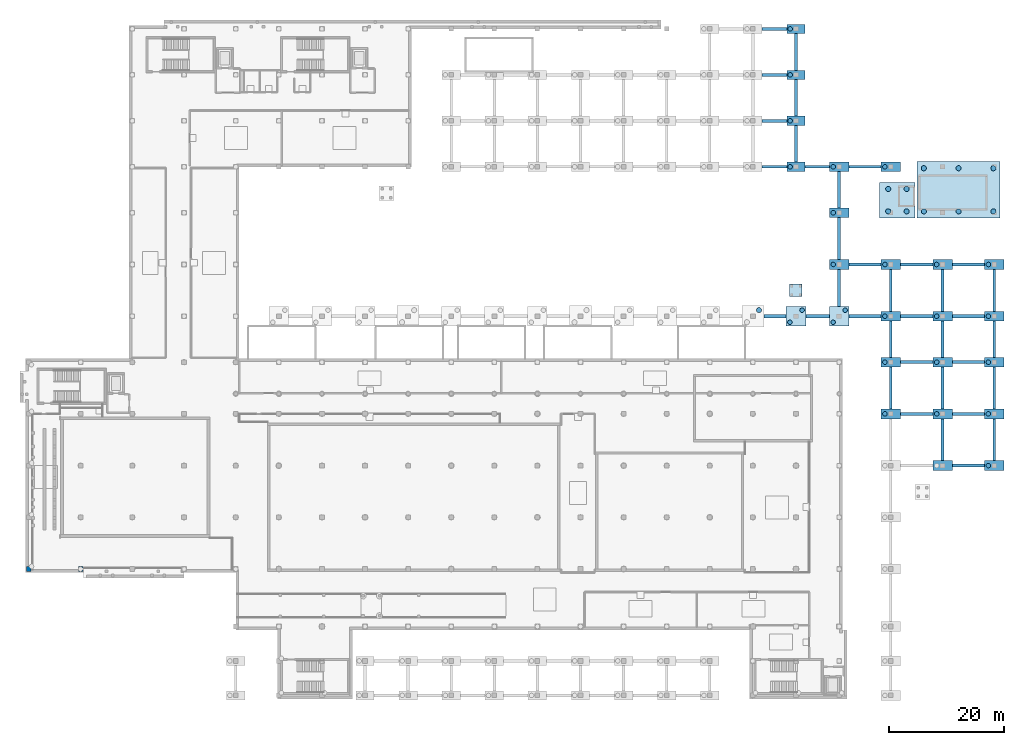
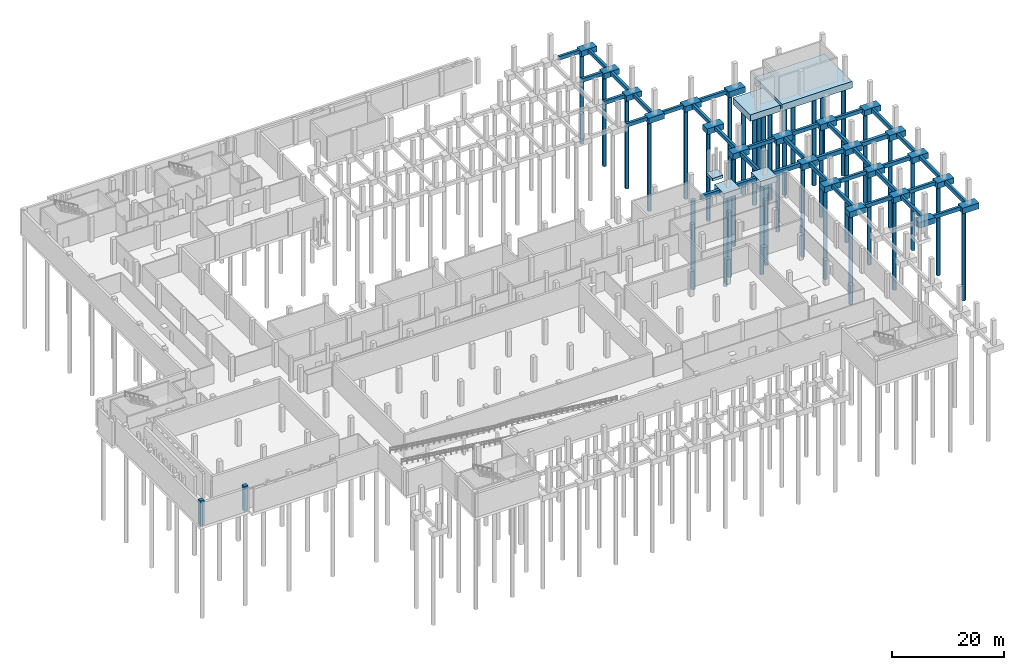
# One storey, part 3 of 19: 63 footings, 36 piles, 2 columns.
"""IFC4 building model written with IfcOpenShell, lengths in metres."""

from ifc_helpers import new_model, si_unit, direction, frame, origin, origin_2d, place, context, subcontext, project, spatial, rectangle, circle, extrude, material, material_profile, profile_set, type_object, element, save


model = new_model("IFC4")

# Units and contexts
model_context = context("Model", 3, precision=1e-05, world=origin(), true_north=direction((0.0, 1.0)))
body_context = subcontext(model_context, "Body", "Model", "MODEL_VIEW")
ifc_project = project(units=[si_unit("LENGTHUNIT", "METRE"), si_unit("AREAUNIT", "SQUARE_METRE"), si_unit("VOLUMEUNIT", "CUBIC_METRE"), si_unit("PLANEANGLEUNIT", "RADIAN"), si_unit("MASSUNIT", "GRAM", prefix="KILO")], contexts=[model_context])

# Site, building, storey
site_placement = place(None, origin())
site = spatial("IfcSite", under=ifc_project, at=site_placement, CompositionType="ELEMENT")
building_placement = place(site_placement, origin())
building = spatial("IfcBuilding", under=site, at=building_placement, Name="Vourika Railside Aquatics Centre", CompositionType="ELEMENT")
storey_placement = place(building_placement, frame((0.0, 0.0, -5.39990234375)))
storey = spatial("IfcBuildingStorey", under=building, at=storey_placement, Name="B1", CompositionType="ELEMENT", Elevation=-5.39990234375)

# Footings
ifc_material = material(Name="Concrete C40/50", Category="concrete")
footing_type_1 = type_object("IfcFootingType", Name="FTG-GB-500x800", PredefinedType="FOOTING_BEAM", material=ifc_material)
for number, where, z_axis, x_axis, name in (
    (1, (163.5, 40.0, -0.80029296875), (0.0, 0.0, 1.0), (1.0, 0.0, 0.0), "Ground Tie Beam GBX-018"),
    (2, (154.5, 49.0, -0.80029296875), (0.0, 0.0, 1.0), (1.0, 0.0, 0.0), "Ground Tie Beam GBX-019"),
    (3, (163.5, 49.0, -0.80029296875), (0.0, 0.0, 1.0), (1.0, 0.0, 0.0), "Ground Tie Beam GBX-020"),
    (4, (154.5, 58.0, -0.80029296875), (0.0, 0.0, 1.0), (1.0, 0.0, 0.0), "Ground Tie Beam GBX-021"),
    (5, (163.5, 58.0, -0.80029296875), (0.0, 0.0, 1.0), (1.0, 0.0, 0.0), "Ground Tie Beam GBX-022"),
    (6, (145.5, 75.0, -0.80029296875), (0.0, 0.0, 1.0), (1.0, 0.0, 0.0), "Ground Tie Beam GBX-039"),
    (7, (154.5, 75.0, -0.80029296875), (0.0, 0.0, 1.0), (1.0, 0.0, 0.0), "Ground Tie Beam GBX-040"),
    (8, (163.5, 75.0, -0.80029296875), (0.0, 0.0, 1.0), (1.0, 0.0, 0.0), "Ground Tie Beam GBX-041"),
):
    element("IfcFooting", number, at=place(storey_placement, frame(where, z_axis=z_axis, x_axis=x_axis)), inside=storey, type_object=footing_type_1, Name=name, PredefinedType="FOOTING_BEAM", context=body_context, shape_type="SweptSolid", body=[
        extrude(rectangle(XDim=5.60009765625, YDim=0.5, at=origin_2d()), origin(), (0.0, 0.0, 1.0), 0.800048828125),
    ])
footing_1_placement = place(storey_placement, frame((129.75, 92.0, -0.80029296875), z_axis=(0.0, 0.0, 1.0), x_axis=(1.0, 0.0, 0.0)))
element("IfcFooting", 9, at=footing_1_placement, inside=storey, type_object=footing_type_1, Name="Ground Tie Beam GBX-049", PredefinedType="FOOTING_BEAM", context=body_context, shape_type="SweptSolid", body=[
    extrude(rectangle(XDim=4.300048828125, YDim=0.5, at=origin_2d()), origin(), (0.0, 0.0, 1.0), 0.800048828125),
])
footing_2_placement = place(storey_placement, frame((137.199951171875, 92.0, -0.80029296875), z_axis=(0.0, 0.0, 1.0), x_axis=(1.0, 0.0, 0.0)))
element("IfcFooting", 10, at=footing_2_placement, inside=storey, type_object=footing_type_1, Name="Ground Tie Beam GBX-050", PredefinedType="FOOTING_BEAM", context=body_context, shape_type="SweptSolid", body=[
    extrude(rectangle(XDim=4.199951171875, YDim=0.5, at=origin_2d()), origin(), (0.0, 0.0, 1.0), 0.800048828125),
])
footing_3_placement = place(storey_placement, frame((145.5, 92.0, -0.80029296875), z_axis=(0.0, 0.0, 1.0), x_axis=(1.0, 0.0, 0.0)))
element("IfcFooting", 11, at=footing_3_placement, inside=storey, type_object=footing_type_1, Name="Ground Tie Beam GBX-051", PredefinedType="FOOTING_BEAM", context=body_context, shape_type="SweptSolid", body=[
    extrude(rectangle(XDim=5.60009765625, YDim=0.5, at=origin_2d()), origin(), (0.0, 0.0, 1.0), 0.800048828125),
])
for number, where, z_axis, x_axis, name in (
    (12, (129.75, 100.0, -0.80029296875), (0.0, 0.0, 1.0), (1.0, 0.0, 0.0), "Ground Tie Beam GBX-059"),
    (13, (129.75, 108.0, -0.80029296875), (0.0, 0.0, 1.0), (1.0, 0.0, 0.0), "Ground Tie Beam GBX-067"),
    (14, (129.75, 116.0, -0.80029296875), (0.0, 0.0, 1.0), (1.0, 0.0, 0.0), "Ground Tie Beam GBX-069"),
):
    element("IfcFooting", number, at=place(storey_placement, frame(where, z_axis=z_axis, x_axis=x_axis)), inside=storey, type_object=footing_type_1, Name=name, PredefinedType="FOOTING_BEAM", context=body_context, shape_type="SweptSolid", body=[
        extrude(rectangle(XDim=4.300048828125, YDim=0.5, at=origin_2d()), origin(), (0.0, 0.0, 1.0), 0.800048828125),
    ])
for number, where, z_axis, x_axis, name in (
    (15, (133.5, 96.0, -0.80029296875), (0.0, 0.0, 1.0), (0.0, 1.0, 0.0), "Ground Tie Beam GBY-098"),
    (16, (133.5, 104.0, -0.80029296875), (0.0, 0.0, 1.0), (0.0, 1.0, 0.0), "Ground Tie Beam GBY-099"),
    (17, (133.5, 112.0, -0.80029296875), (0.0, 0.0, 1.0), (0.0, 1.0, 0.0), "Ground Tie Beam GBY-100"),
):
    element("IfcFooting", number, at=place(storey_placement, frame(where, z_axis=z_axis, x_axis=x_axis)), inside=storey, type_object=footing_type_1, Name=name, PredefinedType="FOOTING_BEAM", context=body_context, shape_type="SweptSolid", body=[
        extrude(rectangle(XDim=6.39990234375, YDim=0.5, at=origin_2d()), origin(), (0.0, 0.0, 1.0), 0.800048828125),
    ])
footing_4_placement = place(storey_placement, frame((141.0, 70.925048828125, -0.80029296875), z_axis=(0.0, 0.0, 1.0), x_axis=(0.0, 1.0, 0.0)))
element("IfcFooting", 18, at=footing_4_placement, inside=storey, type_object=footing_type_1, Name="Ground Tie Beam GBY-101", PredefinedType="FOOTING_BEAM", context=body_context, shape_type="SweptSolid", body=[
    extrude(rectangle(XDim=6.449951171875, YDim=0.5, at=origin_2d()), origin(), (0.0, 0.0, 1.0), 0.800048828125),
])
footing_5_placement = place(storey_placement, frame((141.0, 79.5, -0.80029296875), z_axis=(0.0, 0.0, 1.0), x_axis=(0.0, 1.0, 0.0)))
element("IfcFooting", 19, at=footing_5_placement, inside=storey, type_object=footing_type_1, Name="Ground Tie Beam GBY-102", PredefinedType="FOOTING_BEAM", context=body_context, shape_type="SweptSolid", body=[
    extrude(rectangle(XDim=7.300048828125, YDim=0.5, at=origin_2d()), origin(), (0.0, 0.0, 1.0), 0.800048828125),
])
footing_6_placement = place(storey_placement, frame((141.0, 88.0, -0.80029296875), z_axis=(0.0, 0.0, 1.0), x_axis=(0.0, 1.0, 0.0)))
element("IfcFooting", 20, at=footing_6_placement, inside=storey, type_object=footing_type_1, Name="Ground Tie Beam GBY-103", PredefinedType="FOOTING_BEAM", context=body_context, shape_type="SweptSolid", body=[
    extrude(rectangle(XDim=6.300048828125, YDim=0.5, at=origin_2d()), origin(), (0.0, 0.0, 1.0), 0.800048828125),
])
footing_7_placement = place(storey_placement, frame((150.0, 53.5, -0.80029296875), z_axis=(0.0, 0.0, 1.0), x_axis=(0.0, 1.0, 0.0)))
element("IfcFooting", 21, at=footing_7_placement, inside=storey, type_object=footing_type_1, Name="Ground Tie Beam GBY-110", PredefinedType="FOOTING_BEAM", context=body_context, shape_type="SweptSolid", body=[
    extrude(rectangle(XDim=7.300048828125, YDim=0.5, at=origin_2d()), origin(), (0.0, 0.0, 1.0), 0.800048828125),
])
footing_8_placement = place(storey_placement, frame((150.0, 62.0, -0.80029296875), z_axis=(0.0, 0.0, 1.0), x_axis=(0.0, 1.0, 0.0)))
element("IfcFooting", 22, at=footing_8_placement, inside=storey, type_object=footing_type_1, Name="Ground Tie Beam GBY-111", PredefinedType="FOOTING_BEAM", context=body_context, shape_type="SweptSolid", body=[
    extrude(rectangle(XDim=6.300048828125, YDim=0.5, at=origin_2d()), origin(), (0.0, 0.0, 1.0), 0.800048828125),
])
for number, where, z_axis, x_axis, name in (
    (23, (150.0, 70.5, -0.80029296875), (0.0, 0.0, 1.0), (0.0, 1.0, 0.0), "Ground Tie Beam GBY-112"),
    (24, (159.0, 44.5, -0.80029296875), (0.0, 0.0, 1.0), (0.0, 1.0, 0.0), "Ground Tie Beam GBY-113"),
    (25, (159.0, 53.5, -0.80029296875), (0.0, 0.0, 1.0), (0.0, 1.0, 0.0), "Ground Tie Beam GBY-114"),
):
    element("IfcFooting", number, at=place(storey_placement, frame(where, z_axis=z_axis, x_axis=x_axis)), inside=storey, type_object=footing_type_1, Name=name, PredefinedType="FOOTING_BEAM", context=body_context, shape_type="SweptSolid", body=[
        extrude(rectangle(XDim=7.300048828125, YDim=0.5, at=origin_2d()), origin(), (0.0, 0.0, 1.0), 0.800048828125),
    ])
footing_9_placement = place(storey_placement, frame((159.0, 62.0, -0.80029296875), z_axis=(0.0, 0.0, 1.0), x_axis=(0.0, 1.0, 0.0)))
element("IfcFooting", 26, at=footing_9_placement, inside=storey, type_object=footing_type_1, Name="Ground Tie Beam GBY-115", PredefinedType="FOOTING_BEAM", context=body_context, shape_type="SweptSolid", body=[
    extrude(rectangle(XDim=6.300048828125, YDim=0.5, at=origin_2d()), origin(), (0.0, 0.0, 1.0), 0.800048828125),
])
for number, where, z_axis, x_axis, name in (
    (27, (159.0, 70.5, -0.80029296875), (0.0, 0.0, 1.0), (0.0, 1.0, 0.0), "Ground Tie Beam GBY-116"),
    (28, (168.0, 44.5, -0.80029296875), (0.0, 0.0, 1.0), (0.0, 1.0, 0.0), "Ground Tie Beam GBY-117"),
    (29, (168.0, 53.5, -0.80029296875), (0.0, 0.0, 1.0), (0.0, 1.0, 0.0), "Ground Tie Beam GBY-118"),
):
    element("IfcFooting", number, at=place(storey_placement, frame(where, z_axis=z_axis, x_axis=x_axis)), inside=storey, type_object=footing_type_1, Name=name, PredefinedType="FOOTING_BEAM", context=body_context, shape_type="SweptSolid", body=[
        extrude(rectangle(XDim=7.300048828125, YDim=0.5, at=origin_2d()), origin(), (0.0, 0.0, 1.0), 0.800048828125),
    ])
footing_10_placement = place(storey_placement, frame((168.0, 62.0, -0.80029296875), z_axis=(0.0, 0.0, 1.0), x_axis=(0.0, 1.0, 0.0)))
element("IfcFooting", 30, at=footing_10_placement, inside=storey, type_object=footing_type_1, Name="Ground Tie Beam GBY-119", PredefinedType="FOOTING_BEAM", context=body_context, shape_type="SweptSolid", body=[
    extrude(rectangle(XDim=6.300048828125, YDim=0.5, at=origin_2d()), origin(), (0.0, 0.0, 1.0), 0.800048828125),
])
footing_11_placement = place(storey_placement, frame((168.0, 70.5, -0.80029296875), z_axis=(0.0, 0.0, 1.0), x_axis=(0.0, 1.0, 0.0)))
element("IfcFooting", 31, at=footing_11_placement, inside=storey, type_object=footing_type_1, Name="Ground Tie Beam GBY-120", PredefinedType="FOOTING_BEAM", context=body_context, shape_type="SweptSolid", body=[
    extrude(rectangle(XDim=7.300048828125, YDim=0.5, at=origin_2d()), origin(), (0.0, 0.0, 1.0), 0.800048828125),
])
footing_type_2 = type_object("IfcFootingType", Name="FTG-GB-600x900", PredefinedType="FOOTING_BEAM", material=ifc_material)
footing_12_placement = place(storey_placement, frame((129.85009765625, 66.0, -0.900146484375), z_axis=(0.0, 0.0, 1.0), x_axis=(1.0, 0.0, 0.0)))
element("IfcFooting", 32, at=footing_12_placement, inside=storey, type_object=footing_type_2, Name="Ground Tie Beam GBX-034", PredefinedType="FOOTING_BEAM", context=body_context, shape_type="SweptSolid", body=[
    extrude(rectangle(XDim=3.89990234375, YDim=0.60009765625, at=origin_2d()), origin(), (0.0, 0.0, 1.0), 0.89990234375),
])
footing_13_placement = place(storey_placement, frame((137.25, 66.0, -0.900146484375), z_axis=(0.0, 0.0, 1.0), x_axis=(1.0, 0.0, 0.0)))
element("IfcFooting", 33, at=footing_13_placement, inside=storey, type_object=footing_type_2, Name="Ground Tie Beam GBX-035", PredefinedType="FOOTING_BEAM", context=body_context, shape_type="SweptSolid", body=[
    extrude(rectangle(XDim=4.10009765625, YDim=0.60009765625, at=origin_2d()), origin(), (0.0, 0.0, 1.0), 0.89990234375),
])
for number, where, z_axis, x_axis, name in (
    (34, (145.5, 66.0, -0.900146484375), (0.0, 0.0, 1.0), (1.0, 0.0, 0.0), "Ground Tie Beam GBX-036"),
    (35, (154.5, 66.0, -0.900146484375), (0.0, 0.0, 1.0), (1.0, 0.0, 0.0), "Ground Tie Beam GBX-037"),
    (36, (163.5, 66.0, -0.900146484375), (0.0, 0.0, 1.0), (1.0, 0.0, 0.0), "Ground Tie Beam GBX-038"),
):
    element("IfcFooting", number, at=place(storey_placement, frame(where, z_axis=z_axis, x_axis=x_axis)), inside=storey, type_object=footing_type_2, Name=name, PredefinedType="FOOTING_BEAM", context=body_context, shape_type="SweptSolid", body=[
        extrude(rectangle(XDim=5.60009765625, YDim=0.60009765625, at=origin_2d()), origin(), (0.0, 0.0, 1.0), 0.89990234375),
    ])
footing_type_3 = type_object("IfcFootingType", Name="FTG-PAD-220x220", PredefinedType="PAD_FOOTING", material=ifc_material)
footing_14_placement = place(storey_placement, frame((133.47998046875, 70.5, -0.60009765625), z_axis=(0.0, 0.0, 1.0), x_axis=(1.0, 0.0, 0.0)))
element("IfcFooting", 37, at=footing_14_placement, inside=storey, type_object=footing_type_3, Name="Accessible Ramp Foundation Pad PF-03", PredefinedType="PAD_FOOTING", context=body_context, shape_type="SweptSolid", body=[
    extrude(rectangle(XDim=2.199951171875, YDim=2.199951171875, at=origin_2d()), origin(), (0.0, 0.0, 1.0), 0.60009765625),
])
footing_type_4 = type_object("IfcFootingType", Name="FTG-PC10-1440x980", PredefinedType="PILE_CAP", material=ifc_material)
footing_15_placement = place(storey_placement, frame((161.800048828125, 88.0, -1.4501953125), z_axis=(0.0, 0.0, 1.0), x_axis=(1.0, 0.0, 0.0)))
element("IfcFooting", 38, at=footing_15_placement, inside=storey, type_object=footing_type_4, Name="Core Substructure Pile Cap ST05", PredefinedType="PILE_CAP", context=body_context, shape_type="SweptSolid", body=[
    extrude(rectangle(XDim=14.39990234375, YDim=9.800048828125, at=origin_2d()), origin(), (0.0, 0.0, 1.0), 1.449951171875),
])
footing_type_5 = type_object("IfcFootingType", Name="FTG-PC2-320x160", PredefinedType="PILE_CAP", material=ifc_material)
for number, where, z_axis, x_axis, name in (
    (39, (133.5, 92.0, -1.2001953125), (0.0, 0.0, 1.0), (1.0, 0.0, 0.0), "Pile Cap ftg:B1:cap_1335_920"),
    (40, (133.5, 100.0, -1.2001953125), (0.0, 0.0, 1.0), (1.0, 0.0, 0.0), "Pile Cap ftg:B1:cap_1335_1000"),
    (41, (133.5, 108.0, -1.2001953125), (0.0, 0.0, 1.0), (1.0, 0.0, 0.0), "Pile Cap ftg:B1:cap_1335_1080"),
    (42, (133.5, 116.0, -1.2001953125), (0.0, 0.0, 1.0), (1.0, 0.0, 0.0), "Pile Cap ftg:B1:cap_1335_1160"),
):
    element("IfcFooting", number, at=place(storey_placement, frame(where, z_axis=z_axis, x_axis=x_axis)), inside=storey, type_object=footing_type_5, Name=name, PredefinedType="PILE_CAP", context=body_context, shape_type="SweptSolid", body=[
        extrude(rectangle(XDim=3.199951171875, YDim=1.60009765625, at=origin_2d()), origin(), (0.0, 0.0, 1.0), 1.199951171875),
    ])
footing_type_6 = type_object("IfcFootingType", Name="FTG-PC2-340x170", PredefinedType="PILE_CAP", material=ifc_material)
for number, where, z_axis, x_axis, name in (
    (43, (141.0, 75.0, -1.25), (0.0, 0.0, 1.0), (1.0, 0.0, 0.0), "Pile Cap ftg:B1:cap_1410_750"),
    (44, (141.0, 84.0, -1.25), (0.0, 0.0, 1.0), (1.0, 0.0, 0.0), "Pile Cap ftg:B1:cap_1410_840"),
    (45, (141.0, 92.0, -1.25), (0.0, 0.0, 1.0), (1.0, 0.0, 0.0), "Pile Cap ftg:B1:cap_1410_920"),
    (46, (150.0, 49.0, -1.25), (0.0, 0.0, 1.0), (1.0, 0.0, 0.0), "Pile Cap ftg:B1:cap_1500_490"),
    (47, (150.0, 58.0, -1.25), (0.0, 0.0, 1.0), (1.0, 0.0, 0.0), "Pile Cap ftg:B1:cap_1500_580"),
    (48, (150.0, 66.0, -1.25), (0.0, 0.0, 1.0), (1.0, 0.0, 0.0), "Pile Cap ftg:B1:cap_1500_660"),
    (49, (150.0, 75.0, -1.25), (0.0, 0.0, 1.0), (1.0, 0.0, 0.0), "Pile Cap ftg:B1:cap_1500_750"),
    (50, (150.0, 92.0, -1.25), (0.0, 0.0, 1.0), (1.0, 0.0, 0.0), "Pile Cap ftg:B1:cap_1500_920"),
    (51, (159.0, 40.0, -1.25), (0.0, 0.0, 1.0), (1.0, 0.0, 0.0), "Pile Cap ftg:B1:cap_1590_400"),
    (52, (159.0, 49.0, -1.25), (0.0, 0.0, 1.0), (1.0, 0.0, 0.0), "Pile Cap ftg:B1:cap_1590_490"),
    (53, (159.0, 58.0, -1.25), (0.0, 0.0, 1.0), (1.0, 0.0, 0.0), "Pile Cap ftg:B1:cap_1590_580"),
    (54, (159.0, 66.0, -1.25), (0.0, 0.0, 1.0), (1.0, 0.0, 0.0), "Pile Cap ftg:B1:cap_1590_660"),
    (55, (159.0, 75.0, -1.25), (0.0, 0.0, 1.0), (1.0, 0.0, 0.0), "Pile Cap ftg:B1:cap_1590_750"),
    (56, (168.0, 40.0, -1.25), (0.0, 0.0, 1.0), (1.0, 0.0, 0.0), "Pile Cap ftg:B1:cap_1680_400"),
    (57, (168.0, 49.0, -1.25), (0.0, 0.0, 1.0), (1.0, 0.0, 0.0), "Pile Cap ftg:B1:cap_1680_490"),
    (58, (168.0, 58.0, -1.25), (0.0, 0.0, 1.0), (1.0, 0.0, 0.0), "Pile Cap ftg:B1:cap_1680_580"),
    (59, (168.0, 66.0, -1.25), (0.0, 0.0, 1.0), (1.0, 0.0, 0.0), "Pile Cap ftg:B1:cap_1680_660"),
    (60, (168.0, 75.0, -1.25), (0.0, 0.0, 1.0), (1.0, 0.0, 0.0), "Pile Cap ftg:B1:cap_1680_750"),
):
    element("IfcFooting", number, at=place(storey_placement, frame(where, z_axis=z_axis, x_axis=x_axis)), inside=storey, type_object=footing_type_6, Name=name, PredefinedType="PILE_CAP", context=body_context, shape_type="SweptSolid", body=[
        extrude(rectangle(XDim=3.39990234375, YDim=1.699951171875, at=origin_2d()), origin(), (0.0, 0.0, 1.0), 1.25),
    ])
footing_type_7 = type_object("IfcFootingType", Name="FTG-PC4-340x340", PredefinedType="PILE_CAP", material=ifc_material)
for number, where, z_axis, x_axis, name in (
    (61, (133.5, 66.0, -1.2001953125), (0.0, 0.0, 1.0), (1.0, 0.0, 0.0), "Pile Cap ftg:B1:cap_1335_660"),
    (62, (141.0, 66.0, -1.2001953125), (0.0, 0.0, 1.0), (1.0, 0.0, 0.0), "Pile Cap ftg:B1:cap_1410_660"),
):
    element("IfcFooting", number, at=place(storey_placement, frame(where, z_axis=z_axis, x_axis=x_axis)), inside=storey, type_object=footing_type_7, Name=name, PredefinedType="PILE_CAP", context=body_context, shape_type="SweptSolid", body=[
        extrude(rectangle(XDim=3.39990234375, YDim=3.39990234375, at=origin_2d()), origin(), (0.0, 0.0, 1.0), 1.199951171875),
    ])
footing_type_8 = type_object("IfcFootingType", Name="FTG-PC6-620x420", PredefinedType="PILE_CAP", material=ifc_material)
footing_16_placement = place(storey_placement, frame((151.14990234375, 86.199951171875, -1.400146484375), z_axis=(0.0, 0.0, 1.0), x_axis=(1.0, 0.0, 0.0)))
element("IfcFooting", 63, at=footing_16_placement, inside=storey, type_object=footing_type_8, Name="Core Substructure Pile Cap LP01", PredefinedType="PILE_CAP", context=body_context, shape_type="SweptSolid", body=[
    extrude(rectangle(XDim=6.199951171875, YDim=6.199951171875, at=origin_2d()), origin(), (0.0, 0.0, 1.0), 1.39990234375),
])

# Piles
ifc_material_profile_1 = material_profile(ifc_material, circle(Radius=0.39990234375, at=origin_2d()), Name="BP 800")
ifc_profile_set_1 = profile_set([ifc_material_profile_1], Name="Concrete C40/50")
pile_type_1 = type_object("IfcPileType", Name="PILE-BP800", PredefinedType="BORED", material=ifc_profile_set_1)
for number, where, z_axis, x_axis, name in (
    (64, (132.449951171875, 64.949951171875, -1.10009765625), (0.0, 0.0, -1.0), (1.0, 0.0, 0.0), "Bored Pile pile:B1:C225"),
    (65, (134.550048828125, 67.050048828125, -1.10009765625), (0.0, 0.0, -1.0), (1.0, 0.0, 0.0), "Bored Pile pile:B1:C226"),
    (66, (132.47998046875, 92.0, -1.10009765625), (0.0, 0.0, -1.0), (1.0, 0.0, 0.0), "Bored Pile pile:B1:C227"),
    (67, (132.47998046875, 100.0, -1.10009765625), (0.0, 0.0, -1.0), (1.0, 0.0, 0.0), "Bored Pile pile:B1:C228"),
    (68, (132.47998046875, 108.0, -1.10009765625), (0.0, 0.0, -1.0), (1.0, 0.0, 0.0), "Bored Pile pile:B1:C229"),
    (69, (132.47998046875, 116.0, -1.10009765625), (0.0, 0.0, -1.0), (1.0, 0.0, 0.0), "Bored Pile pile:B1:C230"),
    (70, (139.949951171875, 64.949951171875, -1.10009765625), (0.0, 0.0, -1.0), (1.0, 0.0, 0.0), "Bored Pile pile:B1:C239"),
    (71, (142.050048828125, 67.050048828125, -1.10009765625), (0.0, 0.0, -1.0), (1.0, 0.0, 0.0), "Bored Pile pile:B1:C240"),
):
    element("IfcPile", number, at=place(storey_placement, frame(where, z_axis=z_axis, x_axis=x_axis)), inside=storey, type_object=pile_type_1, Name=name, PredefinedType="BORED", context=body_context, shape_type="SweptSolid", body=[
        extrude(circle(Radius=0.39990234375, at=origin_2d()), origin(), (0.0, 0.0, 1.0), 19.5),
    ])
for number, where, z_axis, x_axis, name in (
    (72, (139.97998046875, 75.0, -1.150146484375), (0.0, 0.0, -1.0), (1.0, 0.0, 0.0), "Bored Pile pile:B1:C241"),
    (73, (139.97998046875, 84.0, -1.150146484375), (0.0, 0.0, -1.0), (1.0, 0.0, 0.0), "Bored Pile pile:B1:C242"),
    (74, (139.97998046875, 92.0, -1.150146484375), (0.0, 0.0, -1.0), (1.0, 0.0, 0.0), "Bored Pile pile:B1:C243"),
    (75, (148.97998046875, 49.0, -1.150146484375), (0.0, 0.0, -1.0), (1.0, 0.0, 0.0), "Bored Pile pile:B1:C250"),
    (76, (148.97998046875, 58.0, -1.150146484375), (0.0, 0.0, -1.0), (1.0, 0.0, 0.0), "Bored Pile pile:B1:C251"),
    (77, (148.97998046875, 66.0, -1.150146484375), (0.0, 0.0, -1.0), (1.0, 0.0, 0.0), "Bored Pile pile:B1:C252"),
    (78, (148.97998046875, 75.0, -1.150146484375), (0.0, 0.0, -1.0), (1.0, 0.0, 0.0), "Bored Pile pile:B1:C253"),
    (79, (148.97998046875, 92.0, -1.150146484375), (0.0, 0.0, -1.0), (1.0, 0.0, 0.0), "Bored Pile pile:B1:C254"),
    (80, (157.97998046875, 49.0, -1.150146484375), (0.0, 0.0, -1.0), (1.0, 0.0, 0.0), "Bored Pile pile:B1:C256"),
    (81, (157.97998046875, 58.0, -1.150146484375), (0.0, 0.0, -1.0), (1.0, 0.0, 0.0), "Bored Pile pile:B1:C257"),
    (82, (157.97998046875, 66.0, -1.150146484375), (0.0, 0.0, -1.0), (1.0, 0.0, 0.0), "Bored Pile pile:B1:C258"),
    (83, (157.97998046875, 75.0, -1.150146484375), (0.0, 0.0, -1.0), (1.0, 0.0, 0.0), "Bored Pile pile:B1:C259"),
    (84, (166.97998046875, 40.0, -1.150146484375), (0.0, 0.0, -1.0), (1.0, 0.0, 0.0), "Bored Pile pile:B1:C260"),
    (85, (166.97998046875, 49.0, -1.150146484375), (0.0, 0.0, -1.0), (1.0, 0.0, 0.0), "Bored Pile pile:B1:C261"),
    (86, (166.97998046875, 58.0, -1.150146484375), (0.0, 0.0, -1.0), (1.0, 0.0, 0.0), "Bored Pile pile:B1:C262"),
    (87, (166.97998046875, 66.0, -1.150146484375), (0.0, 0.0, -1.0), (1.0, 0.0, 0.0), "Bored Pile pile:B1:C263"),
    (88, (166.97998046875, 75.0, -1.150146484375), (0.0, 0.0, -1.0), (1.0, 0.0, 0.0), "Bored Pile pile:B1:C264"),
):
    element("IfcPile", number, at=place(storey_placement, frame(where, z_axis=z_axis, x_axis=x_axis)), inside=storey, type_object=pile_type_1, Name=name, PredefinedType="BORED", context=body_context, shape_type="SweptSolid", body=[
        extrude(circle(Radius=0.39990234375, at=origin_2d()), origin(), (0.0, 0.0, 1.0), 19.449951171875),
    ])
ifc_material_profile_2 = material_profile(ifc_material, circle(Radius=0.449951171875, at=origin_2d()), Name="BP 900")
ifc_profile_set_2 = profile_set([ifc_material_profile_2], Name="Concrete C40/50")
pile_type_2 = type_object("IfcPileType", Name="PILE-BP900", PredefinedType="BORED", material=ifc_profile_set_2)
for number, where, z_axis, x_axis, name in (
    (89, (155.75, 84.25, -1.35009765625), (0.0, 0.0, -1.0), (1.0, 0.0, 0.0), "Bored Pile pile:B1:K001"),
    (90, (155.75, 91.75, -1.35009765625), (0.0, 0.0, -1.0), (1.0, 0.0, 0.0), "Bored Pile pile:B1:K002"),
    (91, (161.800048828125, 84.25, -1.35009765625), (0.0, 0.0, -1.0), (1.0, 0.0, 0.0), "Bored Pile pile:B1:K003"),
    (92, (161.800048828125, 91.75, -1.35009765625), (0.0, 0.0, -1.0), (1.0, 0.0, 0.0), "Bored Pile pile:B1:K004"),
    (93, (167.85009765625, 84.25, -1.35009765625), (0.0, 0.0, -1.0), (1.0, 0.0, 0.0), "Bored Pile pile:B1:K005"),
    (94, (167.85009765625, 91.75, -1.35009765625), (0.0, 0.0, -1.0), (1.0, 0.0, 0.0), "Bored Pile pile:B1:K006"),
):
    element("IfcPile", number, at=place(storey_placement, frame(where, z_axis=z_axis, x_axis=x_axis)), inside=storey, type_object=pile_type_2, Name=name, PredefinedType="BORED", context=body_context, shape_type="SweptSolid", body=[
        extrude(circle(Radius=0.449951171875, at=origin_2d()), origin(), (0.0, 0.0, 1.0), 19.25),
    ])
for number, where, z_axis, x_axis, name in (
    (95, (149.550048828125, 84.25, -1.300048828125), (0.0, 0.0, -1.0), (1.0, 0.0, 0.0), "Bored Pile pile:B1:K007"),
    (96, (149.550048828125, 88.14990234375, -1.300048828125), (0.0, 0.0, -1.0), (1.0, 0.0, 0.0), "Bored Pile pile:B1:K008"),
    (97, (152.75, 84.25, -1.300048828125), (0.0, 0.0, -1.0), (1.0, 0.0, 0.0), "Bored Pile pile:B1:K009"),
    (98, (152.75, 88.14990234375, -1.300048828125), (0.0, 0.0, -1.0), (1.0, 0.0, 0.0), "Bored Pile pile:B1:K010"),
):
    element("IfcPile", number, at=place(storey_placement, frame(where, z_axis=z_axis, x_axis=x_axis)), inside=storey, type_object=pile_type_2, Name=name, PredefinedType="BORED", context=body_context, shape_type="SweptSolid", body=[
        extrude(circle(Radius=0.449951171875, at=origin_2d()), origin(), (0.0, 0.0, 1.0), 19.300048828125),
    ])
pile_placement = place(storey_placement, frame((127.050048828125, 67.050048828125, -1.25), z_axis=(0.0, 0.0, -1.0), x_axis=(1.0, 0.0, 0.0)))
element("IfcPile", 99, at=pile_placement, inside=storey, type_object=pile_type_2, Name="Bored Pile pile:B1:C212", PredefinedType="BORED", context=body_context, shape_type="SweptSolid", body=[
    extrude(circle(Radius=0.449951171875, at=origin_2d()), origin(), (0.0, 0.0, 1.0), 19.35009765625),
])

# Columns
ifc_material_profile_3 = material_profile(ifc_material, rectangle(XDim=0.800048828125, YDim=0.800048828125, at=origin_2d()), Name="RC 800x800")
ifc_profile_set_3 = profile_set([ifc_material_profile_3], Name="Concrete C40/50")
column_type = type_object("IfcColumnType", Name="COL-RC800", PredefinedType="COLUMN", material=ifc_profile_set_3)
for number, where, z_axis, x_axis, name in (
    (100, (0.0, 22.0, 0.0), (0.0, 0.0, 1.0), (1.0, 0.0, 0.0), "Column col:B1:0_220"),
    (101, (9.0, 22.0, 0.0), (0.0, 0.0, 1.0), (1.0, 0.0, 0.0), "Column col:B1:90_220"),
):
    element("IfcColumn", number, at=place(storey_placement, frame(where, z_axis=z_axis, x_axis=x_axis)), inside=storey, type_object=column_type, Name=name, PredefinedType="COLUMN", context=body_context, shape_type="SweptSolid", body=[
        extrude(rectangle(XDim=0.800048828125, YDim=0.800048828125, at=origin_2d()), origin(), (0.0, 0.0, 1.0), 5.39990234375),
    ])

save(model, "model.ifc")
